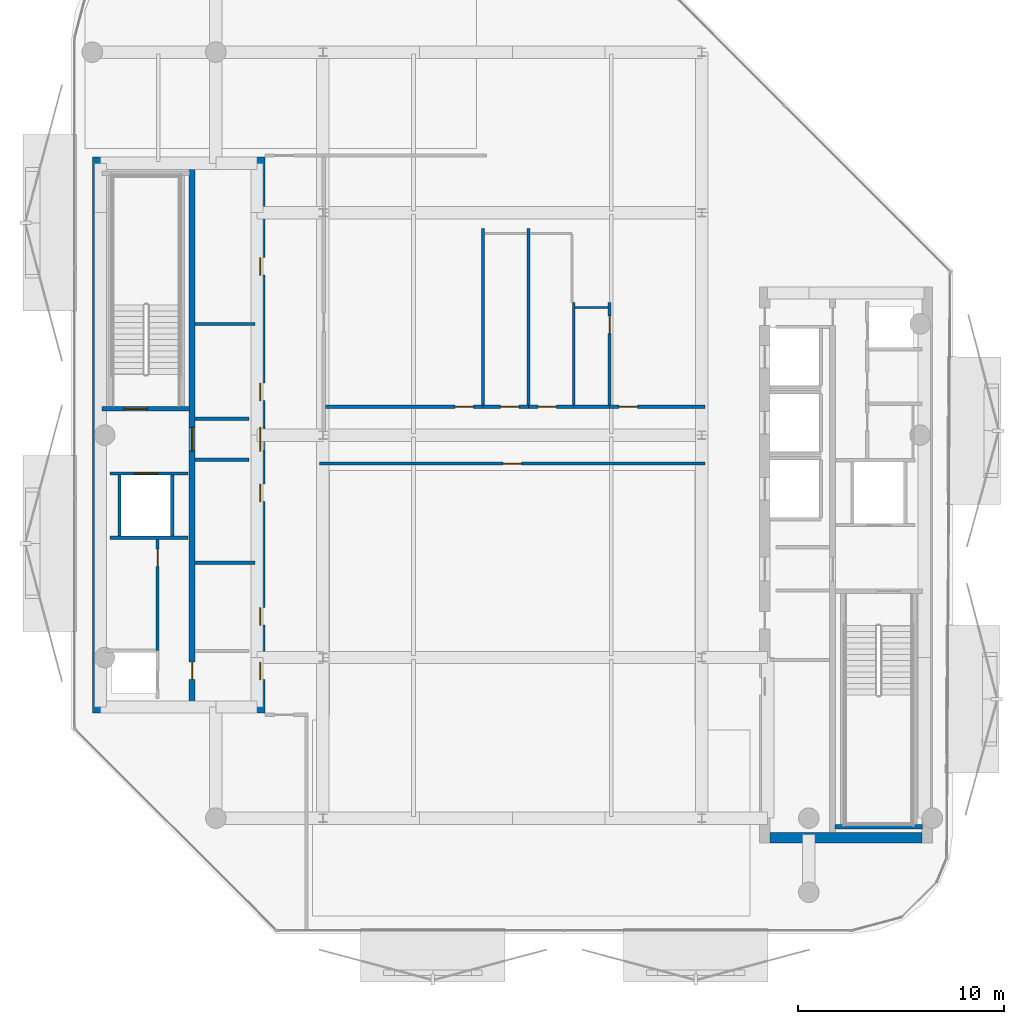
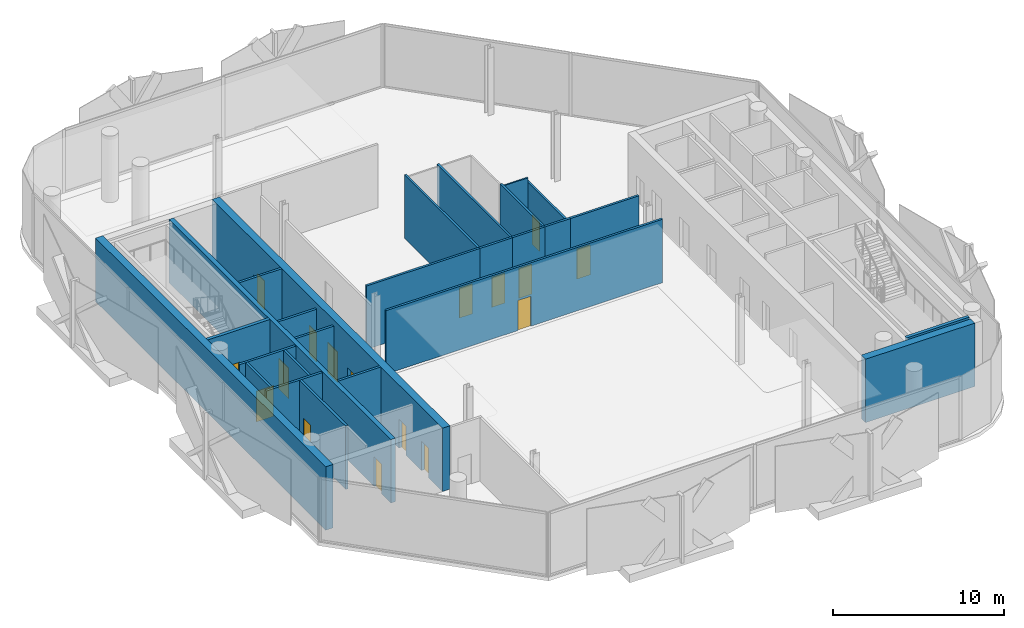
# One storey, part 4 of 15: 26 walls, 17 doors, 17 openings.
"""IFC4 building model written with IfcOpenShell, lengths in metres."""

from ifc_helpers import new_model, si_unit, direction, frame, frame_2d, origin, place, context, subcontext, project, spatial, rectangle, extrude, material, layer, layer_set, type_object, element, fill, save


model = new_model("IFC4")

# Units and contexts
model_context = context("Model", 3, precision=1e-05, world=origin(), true_north=direction((0.0, 1.0)))
body_context = subcontext(model_context, "Body", "Model", "MODEL_VIEW")
ifc_project = project(units=[si_unit("LENGTHUNIT", "METRE"), si_unit("AREAUNIT", "SQUARE_METRE"), si_unit("VOLUMEUNIT", "CUBIC_METRE"), si_unit("PLANEANGLEUNIT", "RADIAN"), si_unit("MASSUNIT", "GRAM", prefix="KILO")], contexts=[model_context])

# Site, building, storey
site_placement = place(None, origin())
site = spatial("IfcSite", under=ifc_project, at=site_placement, CompositionType="ELEMENT")
building_placement = place(site_placement, origin())
building = spatial("IfcBuilding", under=site, at=building_placement, Name="Khairoan Windgate Tower", CompositionType="ELEMENT")
storey_placement = place(building_placement, frame((0.0, 0.0, 315.60009765625)))
storey = spatial("IfcBuildingStorey", under=building, at=storey_placement, Name="L76", CompositionType="ELEMENT", Elevation=315.60009765625)

# Wall
ifc_material_1 = material(Name="Moisture-Resistant Gypsum Partition", Category="gypsum")
ifc_layer_1 = layer(ifc_material_1, 0.10009765625, Name="Moisture-Resistant Gypsum Partition")
ifc_layer_set_1 = layer_set([ifc_layer_1], Name="Moisture-Resistant Gypsum Partition")
wall_type_1 = type_object("IfcWallType", Name="Bathroom Wet-Area Partition Wall", PredefinedType="PARTITIONING", material=ifc_layer_set_1)
wall_1_placement = place(storey_placement, frame((3.050048828125, 6.199951171875, 0.0), z_axis=(0.0, 0.0, 1.0), x_axis=(1.0, 0.0, 0.0)))
element("IfcWall", 1, at=wall_1_placement, inside=storey, type_object=wall_type_1, Name="L76 Wet Room Side Wall 031", PredefinedType="PARTITIONING", context=body_context, shape_type="SweptSolid", body=[
    extrude(rectangle(XDim=1.599853515625, YDim=0.10009765625, at=frame_2d((0.7998046875, 0.0))), origin(), (0.0, 0.0, 1.0), 4.539794921875),
])

# Wall, opening, door
ifc_material_2 = material(Name="Concrete C40/50", Category="concrete")
ifc_layer_2 = layer(ifc_material_2, 0.159912109375, Name="Concrete C40/50")
ifc_layer_set_2 = layer_set([ifc_layer_2], Name="Concrete C40/50")
wall_type_2 = type_object("IfcWallType", Name="Core and Hoistway Enclosure Wall", PredefinedType="STANDARD", material=ifc_layer_set_2)
wall_2_placement = place(storey_placement, frame((-19.550048828125, -1.860107421875, 0.0), z_axis=(0.0, 0.0, 1.0), x_axis=(1.0, 0.0, 0.0)))
wall_2 = element("IfcWall", 2, at=wall_2_placement, inside=storey, type_object=wall_type_2, Name="L76 Core Shaft Wall SW-FL2-L76", PredefinedType="STANDARD", context=body_context, shape_type="SweptSolid", body=[
    extrude(rectangle(XDim=3.800048828125, YDim=0.159912109375, at=frame_2d((1.89990234375, 0.0))), origin(), (0.0, 0.0, 1.0), 4.539794921875),
])
opening_1_placement = place(wall_2_placement, frame((1.179931640625, 0.0, 0.0)))
opening_1 = element("IfcOpeningElement", 3, at=opening_1_placement, cuts=wall_2, Name="Opening LD-FL", PredefinedType="OPENING", context=body_context, shape_type="SweptSolid", body=[
    extrude(rectangle(XDim=1.14990234375, YDim=2.199951171875, at=frame_2d((0.574951171875, 1.10009765625))), frame((0.0, 0.08984375, 0.0), z_axis=(0.0, -1.0, 0.0), x_axis=(1.0, 0.0, 0.0)), (0.0, 0.0, 1.0), 0.179931640625),
])
ifc_material_3 = material(Name="Steel S355", Category="steel")
door_type_1 = type_object("IfcDoorType", Name="Firefighting Lift Sliding Landing Door LD-FL 1150x2200", OperationType="DOUBLE_DOOR_SLIDING", PredefinedType="DOOR", material=ifc_material_3)
door_1_placement = place(opening_1_placement, origin())
door_1 = element("IfcDoor", 4, at=door_1_placement, inside=storey, type_object=door_type_1, Name="L76 Firefighting Lift FL2 Landing Door", OperationType="DOUBLE_DOOR_SLIDING", OverallHeight=2.199951171875, OverallWidth=1.14990234375, PredefinedType="DOOR", context=body_context, shape_type="SweptSolid", body=[
    extrude(rectangle(XDim=1.14990234375, YDim=2.199951171875, at=frame_2d((0.574951171875, 1.10009765625))), frame((0.0, 0.02490234375, 0.0), z_axis=(0.0, -1.0, 0.0), x_axis=(1.0, 0.0, 0.0)), (0.0, 0.0, 1.0), 0.050048828125),
])
fill(opening_1, door_1)

# Walls
wall_3_placement = place(storey_placement, frame((-19.550048828125, -4.97998046875, 0.0), z_axis=(0.0, 0.0, 1.0), x_axis=(1.0, 0.0, 0.0)))
element("IfcWall", 5, at=wall_3_placement, inside=storey, type_object=wall_type_2, Name="L76 Core Shaft Wall SW-FL2B-L76", PredefinedType="STANDARD", context=body_context, shape_type="SweptSolid", body=[
    extrude(rectangle(XDim=3.800048828125, YDim=0.159912109375, at=frame_2d((1.89990234375, 0.0))), origin(), (0.0, 0.0, 1.0), 4.539794921875),
])
for number, where, z_axis, x_axis, name in (
    (6, (-19.080078125, -4.89990234375, 0.0), (0.0, 0.0, 1.0), (0.0, 1.0, 0.0), "L76 Core Shaft Wall SW-FL2W-L76"),
    (7, (-16.52001953125, -4.89990234375, 0.0), (0.0, 0.0, 1.0), (0.0, 1.0, 0.0), "L76 Core Shaft Wall SW-FL2E-L76"),
):
    element("IfcWall", number, at=place(storey_placement, frame(where, z_axis=z_axis, x_axis=x_axis)), inside=storey, type_object=wall_type_2, Name=name, PredefinedType="STANDARD", context=body_context, shape_type="SweptSolid", body=[
        extrude(rectangle(XDim=2.9599609375, YDim=0.159912109375, at=frame_2d((1.47998046875, 0.0))), origin(), (0.0, 0.0, 1.0), 4.539794921875),
    ])
for number, where, z_axis, x_axis, name in (
    (8, (-15.39990234375, 0.800048828125, 0.0), (0.0, 0.0, 1.0), (1.0, 0.0, 0.0), "L76 Core Shaft Wall SW-WV1-L76"),
    (9, (-15.39990234375, -1.199951171875, 0.0), (0.0, 0.0, 1.0), (1.0, 0.0, 0.0), "L76 Core Shaft Wall SW-WV2-L76"),
):
    element("IfcWall", number, at=place(storey_placement, frame(where, z_axis=z_axis, x_axis=x_axis)), inside=storey, type_object=wall_type_2, Name=name, PredefinedType="STANDARD", context=body_context, shape_type="SweptSolid", body=[
        extrude(rectangle(XDim=2.599853515625, YDim=0.159912109375, at=frame_2d((1.2998046875, 0.0))), origin(), (0.0, 0.0, 1.0), 4.539794921875),
    ])
ifc_material_4 = material(Name="Acoustic Fire-Rated Gypsum Partition", Category="gypsum")
ifc_layer_3 = layer(ifc_material_4, 0.139892578125, Name="Acoustic Fire-Rated Gypsum Partition")
ifc_layer_set_3 = layer_set([ifc_layer_3], Name="Acoustic Fire-Rated Gypsum Partition")
wall_type_3 = type_object("IfcWallType", Name="Inter-Tenancy Compartment Wall", PredefinedType="PARTITIONING", material=ifc_layer_set_3)
wall_4_placement = place(storey_placement, frame((-1.419921875, 1.455078125, 0.0), z_axis=(0.0, 0.0, 1.0), x_axis=(0.0, 1.0, 0.0)))
element("IfcWall", 10, at=wall_4_placement, inside=storey, type_object=wall_type_3, Name="L76 Interior Partition 023", PredefinedType="PARTITIONING", context=body_context, shape_type="SweptSolid", body=[
    extrude(rectangle(XDim=8.5849609375, YDim=0.139892578125, at=frame_2d((4.29248046875, 0.0))), origin(), (0.0, 0.0, 1.0), 4.539794921875),
])

# Wall, opening, door
wall_5_placement = place(storey_placement, frame((4.719970703125, 1.455078125, 0.0), z_axis=(0.0, 0.0, 1.0), x_axis=(0.0, 1.0, 0.0)))
wall_5 = element("IfcWall", 11, at=wall_5_placement, inside=storey, type_object=wall_type_3, Name="L76 Interior Partition 024", PredefinedType="PARTITIONING", context=body_context, shape_type="SweptSolid", body=[
    extrude(rectangle(XDim=4.98486328125, YDim=0.139892578125, at=frame_2d((2.492431640625, 0.0))), origin(), (0.0, 0.0, 1.0), 4.18994140625),
])
opening_2_placement = place(wall_5_placement, frame((3.47412109375, 0.0, 0.0)))
opening_2 = element("IfcOpeningElement", 12, at=opening_2_placement, cuts=wall_5, Name="Opening FD-SRV", PredefinedType="OPENING", context=body_context, shape_type="SweptSolid", body=[
    extrude(rectangle(XDim=0.85009765625, YDim=2.10009765625, at=frame_2d((0.425048828125, 1.050048828125))), frame((0.0, 0.079833984375, 0.0), z_axis=(0.0, -1.0, 0.0), x_axis=(1.0, 0.0, 0.0)), (0.0, 0.0, 1.0), 0.159912109375),
])
ifc_material_5 = material(Name="Steel S355", Category="steel")
door_type_2 = type_object("IfcDoorType", Name="Core Service and Riser Fire Door FD-SRV 850x2100", OperationType="NOTDEFINED", PredefinedType="DOOR", material=ifc_material_5)
door_2_placement = place(opening_2_placement, origin())
door_2 = element("IfcDoor", 13, at=door_2_placement, inside=storey, type_object=door_type_2, Name="L76 L76-33-L76-37 Door", OperationType="SINGLE_SWING_LEFT", OverallHeight=2.10009765625, OverallWidth=0.85009765625, PredefinedType="DOOR", context=body_context, shape_type="SweptSolid", body=[
    extrude(rectangle(XDim=0.85009765625, YDim=2.10009765625, at=frame_2d((0.425048828125, 1.050048828125))), frame((0.0, 0.02490234375, 0.0), z_axis=(0.0, -1.0, 0.0), x_axis=(1.0, 0.0, 0.0)), (0.0, 0.0, 1.0), 0.050048828125),
])
fill(opening_2, door_2)

# Walls
wall_6_placement = place(storey_placement, frame((0.780029296875, 1.455078125, 0.0), z_axis=(0.0, 0.0, 1.0), x_axis=(0.0, 1.0, 0.0)))
element("IfcWall", 14, at=wall_6_placement, inside=storey, type_object=wall_type_3, Name="L76 Interior Partition 025", PredefinedType="PARTITIONING", context=body_context, shape_type="SweptSolid", body=[
    extrude(rectangle(XDim=8.5849609375, YDim=0.139892578125, at=frame_2d((4.29248046875, 0.0))), origin(), (0.0, 0.0, 1.0), 4.539794921875),
])
wall_7_placement = place(storey_placement, frame((2.97998046875, 1.455078125, 0.0), z_axis=(0.0, 0.0, 1.0), x_axis=(0.0, 1.0, 0.0)))
element("IfcWall", 15, at=wall_7_placement, inside=storey, type_object=wall_type_3, Name="L76 Interior Partition 026", PredefinedType="PARTITIONING", context=body_context, shape_type="SweptSolid", body=[
    extrude(rectangle(XDim=4.98486328125, YDim=0.139892578125, at=frame_2d((2.492431640625, 0.0))), origin(), (0.0, 0.0, 1.0), 4.539794921875),
])

# Wall, opening, door
ifc_material_6 = material(Name="Concrete C40/50", Category="concrete")
ifc_layer_4 = layer(ifc_material_6, 0.159912109375, Name="Concrete C40/50")
ifc_layer_set_4 = layer_set([ifc_layer_4], Name="Concrete C40/50")
wall_type_4 = type_object("IfcWallType", Name="Plant and Refuge Compartment Wall", PredefinedType="PARTITIONING", material=ifc_layer_set_4)
wall_8_placement = place(storey_placement, frame((-17.22998046875, -10.469970703125, 0.0), z_axis=(0.0, 0.0, 1.0), x_axis=(0.0, 1.0, 0.0)))
wall_8 = element("IfcWall", 16, at=wall_8_placement, inside=storey, type_object=wall_type_4, Name="L76 Interior Partition 002", PredefinedType="PARTITIONING", context=body_context, shape_type="SweptSolid", body=[
    extrude(rectangle(XDim=5.409912109375, YDim=0.159912109375, at=frame_2d((2.705078125, 0.0))), origin(), (0.0, 0.0, 1.0), 4.539794921875),
])
opening_3_placement = place(wall_8_placement, frame((4.10009765625, 0.0, 0.0)))
opening_3 = element("IfcOpeningElement", 17, at=opening_3_placement, cuts=wall_8, Name="Opening FD-SRV", PredefinedType="OPENING", context=body_context, shape_type="SweptSolid", body=[
    extrude(rectangle(XDim=0.85009765625, YDim=2.10009765625, at=frame_2d((0.425048828125, 1.050048828125))), frame((0.0, 0.08984375, 0.0), z_axis=(0.0, -1.0, 0.0), x_axis=(1.0, 0.0, 0.0)), (0.0, 0.0, 1.0), 0.179931640625),
])
door_3_placement = place(opening_3_placement, origin())
door_3 = element("IfcDoor", 18, at=door_3_placement, inside=storey, type_object=door_type_2, Name="L76 L76-04-L76-06 Door", OperationType="SINGLE_SWING_RIGHT", OverallHeight=2.10009765625, OverallWidth=0.85009765625, PredefinedType="DOOR", context=body_context, shape_type="SweptSolid", body=[
    extrude(rectangle(XDim=0.85009765625, YDim=2.10009765625, at=frame_2d((0.425048828125, 1.050048828125))), frame((0.0, 0.02490234375, 0.0), z_axis=(0.0, -1.0, 0.0), x_axis=(1.0, 0.0, 0.0)), (0.0, 0.0, 1.0), 0.050048828125),
])
fill(opening_3, door_3)

# Walls
for number, where, z_axis, x_axis, name in (
    (19, (-15.39990234375, 5.39990234375, 0.0), (0.0, 0.0, 1.0), (1.0, 0.0, 0.0), "L76 Interior Partition 004"),
    (20, (-15.39990234375, -6.199951171875, 0.0), (0.0, 0.0, 1.0), (1.0, 0.0, 0.0), "L76 Interior Partition 005"),
):
    element("IfcWall", number, at=place(storey_placement, frame(where, z_axis=z_axis, x_axis=x_axis)), inside=storey, type_object=wall_type_4, Name=name, PredefinedType="PARTITIONING", context=body_context, shape_type="SweptSolid", body=[
        extrude(rectangle(XDim=2.89990234375, YDim=0.159912109375, at=frame_2d((1.449951171875, 0.0))), origin(), (0.0, 0.0, 1.0), 4.539794921875),
    ])

# Wall, opening, door
ifc_material_7 = material(Name="Acoustic Fire-Rated Gypsum Partition", Category="gypsum")
ifc_layer_5 = layer(ifc_material_7, 0.14990234375, Name="Acoustic Fire-Rated Gypsum Partition")
ifc_layer_set_5 = layer_set([ifc_layer_5], Name="Acoustic Fire-Rated Gypsum Partition")
wall_type_5 = type_object("IfcWallType", Name="Rated Corridor Partition Wall", PredefinedType="PARTITIONING", material=ifc_layer_set_5)
wall_9_placement = place(storey_placement, frame((-9.360107421875, -1.3798828125, 0.0), z_axis=(0.0, 0.0, 1.0), x_axis=(1.0, 0.0, 0.0)))
wall_9 = element("IfcWall", 21, at=wall_9_placement, inside=storey, type_object=wall_type_5, Name="L76 Interior Partition 015", PredefinedType="PARTITIONING", context=body_context, shape_type="SweptSolid", body=[
    extrude(rectangle(XDim=18.72021484375, YDim=0.14990234375, at=frame_2d((9.360107421875, 0.0))), origin(), (0.0, 0.0, 1.0), 4.539794921875),
])
opening_4_placement = place(wall_9_placement, frame((8.909912109375, 0.0, 0.0)))
opening_4 = element("IfcOpeningElement", 22, at=opening_4_placement, cuts=wall_9, Name="Opening FD-ENT", PredefinedType="OPENING", context=body_context, shape_type="SweptSolid", body=[
    extrude(rectangle(XDim=0.89990234375, YDim=2.14990234375, at=frame_2d((0.449951171875, 1.074951171875))), frame((0.0, 0.0849609375, 0.0), z_axis=(0.0, -1.0, 0.0), x_axis=(1.0, 0.0, 0.0)), (0.0, 0.0, 1.0), 0.169921875),
])
ifc_material_8 = material(Name="Timber Fire-Rated Core", Category="wood")
door_type_3 = type_object("IfcDoorType", Name="Unit and Office Fire Entrance Door FD-ENT 900x2150", OperationType="NOTDEFINED", PredefinedType="DOOR", material=ifc_material_8)
door_4_placement = place(opening_4_placement, origin())
door_4 = element("IfcDoor", 23, at=door_4_placement, inside=storey, type_object=door_type_3, Name="L76 L76-29-L76-30 Door", OperationType="SINGLE_SWING_LEFT", OverallHeight=2.14990234375, OverallWidth=0.89990234375, PredefinedType="DOOR", context=body_context, shape_type="SweptSolid", body=[
    extrude(rectangle(XDim=0.89990234375, YDim=2.14990234375, at=frame_2d((0.449951171875, 1.074951171875))), frame((0.0, 0.02490234375, 0.0), z_axis=(0.0, -1.0, 0.0), x_axis=(1.0, 0.0, 0.0)), (0.0, 0.0, 1.0), 0.050048828125),
])
fill(opening_4, door_4)

wall_10_placement = place(storey_placement, frame((-9.0849609375, 1.3798828125, 0.0), z_axis=(0.0, 0.0, 1.0), x_axis=(1.0, 0.0, 0.0)))
wall_10 = element("IfcWall", 24, at=wall_10_placement, inside=storey, type_object=wall_type_5, Name="L76 Interior Partition 016", PredefinedType="PARTITIONING", context=body_context, shape_type="SweptSolid", body=[
    extrude(rectangle(XDim=7.6650390625, YDim=0.14990234375, at=frame_2d((3.83251953125, 0.0))), origin(), (0.0, 0.0, 1.0), 4.539794921875),
])
opening_5_placement = place(wall_10_placement, frame((6.304931640625, 0.0, 0.0)))
opening_5 = element("IfcOpeningElement", 25, at=opening_5_placement, cuts=wall_10, Name="Opening FD-ENT", PredefinedType="OPENING", context=body_context, shape_type="SweptSolid", body=[
    extrude(rectangle(XDim=0.89990234375, YDim=2.14990234375, at=frame_2d((0.449951171875, 1.074951171875))), frame((0.0, 0.0849609375, 0.0), z_axis=(0.0, -1.0, 0.0), x_axis=(1.0, 0.0, 0.0)), (0.0, 0.0, 1.0), 0.169921875),
])
door_5_placement = place(opening_5_placement, origin())
door_5 = element("IfcDoor", 26, at=door_5_placement, inside=storey, type_object=door_type_3, Name="L76 L76-29-L76-32 Door", OperationType="SINGLE_SWING_RIGHT", OverallHeight=2.14990234375, OverallWidth=0.89990234375, PredefinedType="DOOR", context=body_context, shape_type="SweptSolid", body=[
    extrude(rectangle(XDim=0.89990234375, YDim=2.14990234375, at=frame_2d((0.449951171875, 1.074951171875))), frame((0.0, 0.02490234375, 0.0), z_axis=(0.0, -1.0, 0.0), x_axis=(1.0, 0.0, 0.0)), (0.0, 0.0, 1.0), 0.050048828125),
])
fill(opening_5, door_5)

wall_11_placement = place(storey_placement, frame((4.719970703125, 1.3798828125, 0.0), z_axis=(0.0, 0.0, 1.0), x_axis=(1.0, 0.0, 0.0)))
wall_11 = element("IfcWall", 27, at=wall_11_placement, inside=storey, type_object=wall_type_5, Name="L76 Interior Partition 017", PredefinedType="PARTITIONING", context=body_context, shape_type="SweptSolid", body=[
    extrude(rectangle(XDim=4.64013671875, YDim=0.14990234375, at=frame_2d((2.320068359375, 0.0))), origin(), (0.0, 0.0, 1.0), 4.539794921875),
])
opening_6_placement = place(wall_11_placement, frame((0.4599609375, 0.0, 0.0)))
opening_6 = element("IfcOpeningElement", 28, at=opening_6_placement, cuts=wall_11, Name="Opening FD-ENT", PredefinedType="OPENING", context=body_context, shape_type="SweptSolid", body=[
    extrude(rectangle(XDim=0.89990234375, YDim=2.14990234375, at=frame_2d((0.449951171875, 1.074951171875))), frame((0.0, 0.0849609375, 0.0), z_axis=(0.0, -1.0, 0.0), x_axis=(1.0, 0.0, 0.0)), (0.0, 0.0, 1.0), 0.169921875),
])
door_6_placement = place(opening_6_placement, origin())
door_6 = element("IfcDoor", 29, at=door_6_placement, inside=storey, type_object=door_type_3, Name="L76 L76-29-L76-33 Door", OperationType="SINGLE_SWING_LEFT", OverallHeight=2.14990234375, OverallWidth=0.89990234375, PredefinedType="DOOR", context=body_context, shape_type="SweptSolid", body=[
    extrude(rectangle(XDim=0.89990234375, YDim=2.14990234375, at=frame_2d((0.449951171875, 1.074951171875))), frame((0.0, 0.02490234375, 0.0), z_axis=(0.0, -1.0, 0.0), x_axis=(1.0, 0.0, 0.0)), (0.0, 0.0, 1.0), 0.050048828125),
])
fill(opening_6, door_6)

wall_12_placement = place(storey_placement, frame((-1.419921875, 1.3798828125, 0.0), z_axis=(0.0, 0.0, 1.0), x_axis=(1.0, 0.0, 0.0)))
wall_12 = element("IfcWall", 30, at=wall_12_placement, inside=storey, type_object=wall_type_5, Name="L76 Interior Partition 018", PredefinedType="PARTITIONING", context=body_context, shape_type="SweptSolid", body=[
    extrude(rectangle(XDim=2.199951171875, YDim=0.14990234375, at=frame_2d((1.10009765625, 0.0))), origin(), (0.0, 0.0, 1.0), 4.539794921875),
])
opening_7_placement = place(wall_12_placement, frame((0.840087890625, 0.0, 0.0)))
opening_7 = element("IfcOpeningElement", 31, at=opening_7_placement, cuts=wall_12, Name="Opening FD-ENT", PredefinedType="OPENING", context=body_context, shape_type="SweptSolid", body=[
    extrude(rectangle(XDim=0.89990234375, YDim=2.14990234375, at=frame_2d((0.449951171875, 1.074951171875))), frame((0.0, 0.0849609375, 0.0), z_axis=(0.0, -1.0, 0.0), x_axis=(1.0, 0.0, 0.0)), (0.0, 0.0, 1.0), 0.169921875),
])
door_7_placement = place(opening_7_placement, origin())
door_7 = element("IfcDoor", 32, at=door_7_placement, inside=storey, type_object=door_type_3, Name="L76 L76-29-L76-35 Door", OperationType="SINGLE_SWING_RIGHT", OverallHeight=2.14990234375, OverallWidth=0.89990234375, PredefinedType="DOOR", context=body_context, shape_type="SweptSolid", body=[
    extrude(rectangle(XDim=0.89990234375, YDim=2.14990234375, at=frame_2d((0.449951171875, 1.074951171875))), frame((0.0, 0.02490234375, 0.0), z_axis=(0.0, -1.0, 0.0), x_axis=(1.0, 0.0, 0.0)), (0.0, 0.0, 1.0), 0.050048828125),
])
fill(opening_7, door_7)

wall_13_placement = place(storey_placement, frame((0.780029296875, 1.3798828125, 0.0), z_axis=(0.0, 0.0, 1.0), x_axis=(1.0, 0.0, 0.0)))
wall_13 = element("IfcWall", 33, at=wall_13_placement, inside=storey, type_object=wall_type_5, Name="L76 Interior Partition 019", PredefinedType="PARTITIONING", context=body_context, shape_type="SweptSolid", body=[
    extrude(rectangle(XDim=2.199951171875, YDim=0.14990234375, at=frame_2d((1.10009765625, 0.0))), origin(), (0.0, 0.0, 1.0), 4.539794921875),
])
opening_8_placement = place(wall_13_placement, frame((0.4599609375, 0.0, 0.0)))
opening_8 = element("IfcOpeningElement", 34, at=opening_8_placement, cuts=wall_13, Name="Opening FD-ENT", PredefinedType="OPENING", context=body_context, shape_type="SweptSolid", body=[
    extrude(rectangle(XDim=0.89990234375, YDim=2.14990234375, at=frame_2d((0.449951171875, 1.074951171875))), frame((0.0, 0.0849609375, 0.0), z_axis=(0.0, -1.0, 0.0), x_axis=(1.0, 0.0, 0.0)), (0.0, 0.0, 1.0), 0.169921875),
])
door_8_placement = place(opening_8_placement, origin())
door_8 = element("IfcDoor", 35, at=door_8_placement, inside=storey, type_object=door_type_3, Name="L76 L76-29-L76-36 Door", OperationType="SINGLE_SWING_LEFT", OverallHeight=2.14990234375, OverallWidth=0.89990234375, PredefinedType="DOOR", context=body_context, shape_type="SweptSolid", body=[
    extrude(rectangle(XDim=0.89990234375, YDim=2.14990234375, at=frame_2d((0.449951171875, 1.074951171875))), frame((0.0, 0.02490234375, 0.0), z_axis=(0.0, -1.0, 0.0), x_axis=(1.0, 0.0, 0.0)), (0.0, 0.0, 1.0), 0.050048828125),
])
fill(opening_8, door_8)

# Walls
wall_14_placement = place(storey_placement, frame((2.97998046875, 1.3798828125, 0.0), z_axis=(0.0, 0.0, 1.0), x_axis=(1.0, 0.0, 0.0)))
element("IfcWall", 36, at=wall_14_placement, inside=storey, type_object=wall_type_5, Name="L76 Interior Partition 020", PredefinedType="PARTITIONING", context=body_context, shape_type="SweptSolid", body=[
    extrude(rectangle(XDim=1.739990234375, YDim=0.14990234375, at=frame_2d((0.8701171875, 0.0))), origin(), (0.0, 0.0, 1.0), 4.539794921875),
])
ifc_material_9 = material(Name="Concrete C50/60", Category="concrete")
ifc_layer_6 = layer(ifc_material_9, 0.5, Name="Concrete C50/60")
ifc_layer_set_6 = layer_set([ifc_layer_6], Name="Concrete C50/60")
wall_type_6 = type_object("IfcWallType", Name="Shear Wall CW-E3 500mm", PredefinedType="SHEAR", material=ifc_layer_set_6)
wall_15_placement = place(storey_placement, frame((12.5, -19.550048828125, 0.0), z_axis=(0.0, 0.0, 1.0), x_axis=(1.0, 0.0, 0.0)))
element("IfcWall", 37, at=wall_15_placement, inside=storey, type_object=wall_type_6, Name="E Core South Shear Wall L76", PredefinedType="SHEAR", context=body_context, shape_type="SweptSolid", body=[
    extrude(rectangle(XDim=7.39990234375, YDim=0.5, at=frame_2d((3.699951171875, 0.0))), origin(), (0.0, 0.0, 1.0), 4.539794921875),
])
ifc_material_10 = material(Name="Concrete C50/60", Category="concrete")
ifc_layer_7 = layer(ifc_material_10, 0.5, Name="Concrete C50/60")
ifc_layer_set_7 = layer_set([ifc_layer_7], Name="Concrete C50/60")
wall_type_7 = type_object("IfcWallType", Name="Shear Wall CW-W3 500mm", PredefinedType="SHEAR", material=ifc_layer_set_7)
wall_16_placement = place(storey_placement, frame((-20.14990234375, -13.5, 0.0), z_axis=(0.0, 0.0, 1.0), x_axis=(0.0, 1.0, 0.0)))
element("IfcWall", 38, at=wall_16_placement, inside=storey, type_object=wall_type_7, Name="W Core West Shear Wall L76", PredefinedType="SHEAR", context=body_context, shape_type="SweptSolid", body=[
    extrude(rectangle(XDim=27.0, YDim=0.5, at=frame_2d((13.5, 0.0))), origin(), (0.0, 0.0, 1.0), 4.539794921875),
])

# Wall, openings, doors
wall_17_placement = place(storey_placement, frame((-12.25, -13.5, 0.0), z_axis=(0.0, 0.0, 1.0), x_axis=(0.0, 1.0, 0.0)))
wall_17 = element("IfcWall", 39, at=wall_17_placement, inside=storey, type_object=wall_type_7, Name="W Core East Shear Wall L76", PredefinedType="SHEAR", context=body_context, shape_type="SweptSolid", body=[
    extrude(rectangle(XDim=27.0, YDim=0.5, at=frame_2d((13.5, 0.0))), origin(), (0.0, 0.0, 1.0), 4.539794921875),
])
opening_9_placement = place(wall_17_placement, frame((15.175048828125, 0.0, 0.0)))
opening_9 = element("IfcOpeningElement", 40, at=opening_9_placement, cuts=wall_17, Name="Opening FD-SRV", PredefinedType="OPENING", context=body_context, shape_type="SweptSolid", body=[
    extrude(rectangle(XDim=0.85009765625, YDim=2.10009765625, at=frame_2d((0.425048828125, 1.050048828125))), frame((0.0, 0.260009765625, 0.0), z_axis=(0.0, -1.0, 0.0), x_axis=(1.0, 0.0, 0.0)), (0.0, 0.0, 1.0), 0.52001953125),
])
opening_10_placement = place(wall_17_placement, frame((21.27490234375, 0.0, 0.0)))
opening_10 = element("IfcOpeningElement", 41, at=opening_10_placement, cuts=wall_17, Name="Opening FD-SRV", PredefinedType="OPENING", context=body_context, shape_type="SweptSolid", body=[
    extrude(rectangle(XDim=0.85009765625, YDim=2.10009765625, at=frame_2d((0.425048828125, 1.050048828125))), frame((0.0, 0.260009765625, 0.0), z_axis=(0.0, -1.0, 0.0), x_axis=(1.0, 0.0, 0.0)), (0.0, 0.0, 1.0), 0.52001953125),
])
opening_11_placement = place(wall_17_placement, frame((4.27490234375, 0.0, 0.0)))
opening_11 = element("IfcOpeningElement", 42, at=opening_11_placement, cuts=wall_17, Name="Opening FD-SRV", PredefinedType="OPENING", context=body_context, shape_type="SweptSolid", body=[
    extrude(rectangle(XDim=0.85009765625, YDim=2.10009765625, at=frame_2d((0.425048828125, 1.050048828125))), frame((0.0, 0.260009765625, 0.0), z_axis=(0.0, -1.0, 0.0), x_axis=(1.0, 0.0, 0.0)), (0.0, 0.0, 1.0), 0.52001953125),
])
opening_12_placement = place(wall_17_placement, frame((10.27490234375, 0.0, 0.0)))
opening_12 = element("IfcOpeningElement", 43, at=opening_12_placement, cuts=wall_17, Name="Opening FD-SRV", PredefinedType="OPENING", context=body_context, shape_type="SweptSolid", body=[
    extrude(rectangle(XDim=0.85009765625, YDim=2.10009765625, at=frame_2d((0.425048828125, 1.050048828125))), frame((0.0, 0.260009765625, 0.0), z_axis=(0.0, -1.0, 0.0), x_axis=(1.0, 0.0, 0.0)), (0.0, 0.0, 1.0), 0.52001953125),
])
opening_13_placement = place(wall_17_placement, frame((12.72509765625, 0.0, 0.0)))
opening_13 = element("IfcOpeningElement", 44, at=opening_13_placement, cuts=wall_17, Name="Opening FD-FFL", PredefinedType="OPENING", context=body_context, shape_type="SweptSolid", body=[
    extrude(rectangle(XDim=1.14990234375, YDim=2.199951171875, at=frame_2d((0.574951171875, 1.10009765625))), frame((0.0, 0.260009765625, 0.0), z_axis=(0.0, -1.0, 0.0), x_axis=(1.0, 0.0, 0.0)), (0.0, 0.0, 1.0), 0.52001953125),
])
opening_14_placement = place(wall_17_placement, frame((1.625, 0.0, 0.0)))
opening_14 = element("IfcOpeningElement", 45, at=opening_14_placement, cuts=wall_17, Name="Opening FD-SRV", PredefinedType="OPENING", context=body_context, shape_type="SweptSolid", body=[
    extrude(rectangle(XDim=0.85009765625, YDim=2.10009765625, at=frame_2d((0.425048828125, 1.050048828125))), frame((0.0, 0.260009765625, 0.0), z_axis=(0.0, -1.0, 0.0), x_axis=(1.0, 0.0, 0.0)), (0.0, 0.0, 1.0), 0.52001953125),
])
door_9_placement = place(opening_9_placement, origin())
door_9 = element("IfcDoor", 46, at=door_9_placement, inside=storey, type_object=door_type_2, Name="L76 Upper Core Room Door B1-1", OperationType="SINGLE_SWING_LEFT", OverallHeight=2.10009765625, OverallWidth=0.85009765625, PredefinedType="DOOR", context=body_context, shape_type="SweptSolid", body=[
    extrude(rectangle(XDim=0.85009765625, YDim=2.10009765625, at=frame_2d((0.425048828125, 1.050048828125))), frame((0.0, 0.02490234375, 0.0), z_axis=(0.0, -1.0, 0.0), x_axis=(1.0, 0.0, 0.0)), (0.0, 0.0, 1.0), 0.050048828125),
])
fill(opening_9, door_9)
door_10_placement = place(opening_10_placement, origin())
door_10 = element("IfcDoor", 47, at=door_10_placement, inside=storey, type_object=door_type_2, Name="L76 Upper Core Room Door B1-2", OperationType="SINGLE_SWING_RIGHT", OverallHeight=2.10009765625, OverallWidth=0.85009765625, PredefinedType="DOOR", context=body_context, shape_type="SweptSolid", body=[
    extrude(rectangle(XDim=0.85009765625, YDim=2.10009765625, at=frame_2d((0.425048828125, 1.050048828125))), frame((0.0, 0.02490234375, 0.0), z_axis=(0.0, -1.0, 0.0), x_axis=(1.0, 0.0, 0.0)), (0.0, 0.0, 1.0), 0.050048828125),
])
fill(opening_10, door_10)
door_11_placement = place(opening_11_placement, origin())
door_11 = element("IfcDoor", 48, at=door_11_placement, inside=storey, type_object=door_type_2, Name="L76 Upper Core Room Door B2-1", OperationType="SINGLE_SWING_LEFT", OverallHeight=2.10009765625, OverallWidth=0.85009765625, PredefinedType="DOOR", context=body_context, shape_type="SweptSolid", body=[
    extrude(rectangle(XDim=0.85009765625, YDim=2.10009765625, at=frame_2d((0.425048828125, 1.050048828125))), frame((0.0, 0.02490234375, 0.0), z_axis=(0.0, -1.0, 0.0), x_axis=(1.0, 0.0, 0.0)), (0.0, 0.0, 1.0), 0.050048828125),
])
fill(opening_11, door_11)
door_12_placement = place(opening_12_placement, origin())
door_12 = element("IfcDoor", 49, at=door_12_placement, inside=storey, type_object=door_type_2, Name="L76 Upper Core Room Door B2-2", OperationType="SINGLE_SWING_RIGHT", OverallHeight=2.10009765625, OverallWidth=0.85009765625, PredefinedType="DOOR", context=body_context, shape_type="SweptSolid", body=[
    extrude(rectangle(XDim=0.85009765625, YDim=2.10009765625, at=frame_2d((0.425048828125, 1.050048828125))), frame((0.0, 0.02490234375, 0.0), z_axis=(0.0, -1.0, 0.0), x_axis=(1.0, 0.0, 0.0)), (0.0, 0.0, 1.0), 0.050048828125),
])
fill(opening_12, door_12)
door_13_placement = place(opening_14_placement, origin())
door_13 = element("IfcDoor", 50, at=door_13_placement, inside=storey, type_object=door_type_2, Name="L76 West Core Service Vestibule Outer Door", OperationType="SINGLE_SWING_LEFT", OverallHeight=2.10009765625, OverallWidth=0.85009765625, PredefinedType="DOOR", context=body_context, shape_type="SweptSolid", body=[
    extrude(rectangle(XDim=0.85009765625, YDim=2.10009765625, at=frame_2d((0.425048828125, 1.050048828125))), frame((0.0, 0.02490234375, 0.0), z_axis=(0.0, -1.0, 0.0), x_axis=(1.0, 0.0, 0.0)), (0.0, 0.0, 1.0), 0.050048828125),
])
fill(opening_14, door_13)
ifc_material_11 = material(Name="Steel S355", Category="steel")
door_type_4 = type_object("IfcDoorType", Name="Firefighting Lobby Fire Door FD-FFL 1150x2200", OperationType="NOTDEFINED", PredefinedType="DOOR", material=ifc_material_11)
door_14_placement = place(opening_13_placement, origin())
door_14 = element("IfcDoor", 51, at=door_14_placement, inside=storey, type_object=door_type_4, Name="L76 West Core Vestibule Entry Door", OperationType="SINGLE_SWING_LEFT", OverallHeight=2.199951171875, OverallWidth=1.14990234375, PredefinedType="DOOR", context=body_context, shape_type="SweptSolid", body=[
    extrude(rectangle(XDim=1.14990234375, YDim=2.199951171875, at=frame_2d((0.574951171875, 1.10009765625))), frame((0.0, 0.02490234375, 0.0), z_axis=(0.0, -1.0, 0.0), x_axis=(1.0, 0.0, 0.0)), (0.0, 0.0, 1.0), 0.050048828125),
])
fill(opening_13, door_14)

ifc_material_12 = material(Name="Concrete C50/60", Category="concrete")
ifc_layer_8 = layer(ifc_material_12, 0.300048828125, Name="Concrete C50/60")
ifc_layer_set_8 = layer_set([ifc_layer_8], Name="Concrete C50/60")
wall_type_8 = type_object("IfcWallType", Name="Shear Wall SW-2 300mm", PredefinedType="SHEAR", material=ifc_layer_set_8)
wall_18_placement = place(storey_placement, frame((-15.550048828125, -13.0, 0.0), z_axis=(0.0, 0.0, 1.0), x_axis=(0.0, 1.0, 0.0)))
wall_18 = element("IfcWall", 52, at=wall_18_placement, inside=storey, type_object=wall_type_8, Name="W Core Spine Shear Wall L76", PredefinedType="SHEAR", context=body_context, shape_type="SweptSolid", body=[
    extrude(rectangle(XDim=26.0, YDim=0.300048828125, at=frame_2d((13.0, 0.0))), origin(), (0.0, 0.0, 1.0), 4.539794921875),
])
opening_15_placement = place(wall_18_placement, frame((12.22509765625, 0.0, 0.0)))
opening_15 = element("IfcOpeningElement", 53, at=opening_15_placement, cuts=wall_18, Name="Opening FD-FFL", PredefinedType="OPENING", context=body_context, shape_type="SweptSolid", body=[
    extrude(rectangle(XDim=1.14990234375, YDim=2.199951171875, at=frame_2d((0.574951171875, 1.10009765625))), frame((0.0, 0.159912109375, 0.0), z_axis=(0.0, -1.0, 0.0), x_axis=(1.0, 0.0, 0.0)), (0.0, 0.0, 1.0), 0.320068359375),
])
opening_16_placement = place(wall_18_placement, frame((1.125, 0.0, 0.0)))
opening_16 = element("IfcOpeningElement", 54, at=opening_16_placement, cuts=wall_18, Name="Opening FD-SRV", PredefinedType="OPENING", context=body_context, shape_type="SweptSolid", body=[
    extrude(rectangle(XDim=0.85009765625, YDim=2.10009765625, at=frame_2d((0.425048828125, 1.050048828125))), frame((0.0, 0.159912109375, 0.0), z_axis=(0.0, -1.0, 0.0), x_axis=(1.0, 0.0, 0.0)), (0.0, 0.0, 1.0), 0.320068359375),
])
door_15_placement = place(opening_16_placement, origin())
door_15 = element("IfcDoor", 55, at=door_15_placement, inside=storey, type_object=door_type_2, Name="L76 West Core Service Passage Inner Door", OperationType="SINGLE_SWING_RIGHT", OverallHeight=2.10009765625, OverallWidth=0.85009765625, PredefinedType="DOOR", context=body_context, shape_type="SweptSolid", body=[
    extrude(rectangle(XDim=0.85009765625, YDim=2.10009765625, at=frame_2d((0.425048828125, 1.050048828125))), frame((0.0, 0.02490234375, 0.0), z_axis=(0.0, -1.0, 0.0), x_axis=(1.0, 0.0, 0.0)), (0.0, 0.0, 1.0), 0.050048828125),
])
fill(opening_16, door_15)
door_16_placement = place(opening_15_placement, origin())
door_16 = element("IfcDoor", 56, at=door_16_placement, inside=storey, type_object=door_type_4, Name="L76 West Firefighting Lobby Fire Door", OperationType="SINGLE_SWING_RIGHT", OverallHeight=2.199951171875, OverallWidth=1.14990234375, PredefinedType="DOOR", context=body_context, shape_type="SweptSolid", body=[
    extrude(rectangle(XDim=1.14990234375, YDim=2.199951171875, at=frame_2d((0.574951171875, 1.10009765625))), frame((0.0, 0.02490234375, 0.0), z_axis=(0.0, -1.0, 0.0), x_axis=(1.0, 0.0, 0.0)), (0.0, 0.0, 1.0), 0.050048828125),
])
fill(opening_15, door_16)

# Wall
ifc_material_13 = material(Name="Concrete C50/60", Category="concrete")
ifc_layer_9 = layer(ifc_material_13, 0.219970703125, Name="Concrete C50/60")
ifc_layer_set_9 = layer_set([ifc_layer_9], Name="Concrete C50/60")
wall_type_9 = type_object("IfcWallType", Name="Shear Wall SW-ST 220mm", PredefinedType="SHEAR", material=ifc_layer_set_9)
wall_19_placement = place(storey_placement, frame((15.679931640625, -19.010009765625, 0.0), z_axis=(0.0, 0.0, 1.0), x_axis=(1.0, 0.0, 0.0)))
element("IfcWall", 57, at=wall_19_placement, inside=storey, type_object=wall_type_9, Name="L76 Stair ST1 South Bearing Wall", PredefinedType="SHEAR", context=body_context, shape_type="SweptSolid", body=[
    extrude(rectangle(XDim=4.239990234375, YDim=0.219970703125, at=frame_2d((2.1201171875, 0.0))), origin(), (0.0, 0.0, 1.0), 4.539794921875),
])

# Wall, opening, door
wall_20_placement = place(storey_placement, frame((-19.919921875, 1.2900390625, 0.0), z_axis=(0.0, 0.0, 1.0), x_axis=(1.0, 0.0, 0.0)))
wall_20 = element("IfcWall", 58, at=wall_20_placement, inside=storey, type_object=wall_type_9, Name="L76 Stair ST2 South Bearing Wall", PredefinedType="SHEAR", context=body_context, shape_type="SweptSolid", body=[
    extrude(rectangle(XDim=4.239990234375, YDim=0.219970703125, at=frame_2d((2.1201171875, 0.0))), origin(), (0.0, 0.0, 1.0), 4.539794921875),
])
opening_17_placement = place(wall_20_placement, frame((1.080078125, 0.0, 0.0)))
opening_17 = element("IfcOpeningElement", 59, at=opening_17_placement, cuts=wall_20, Name="Opening FD-ST", PredefinedType="OPENING", context=body_context, shape_type="SweptSolid", body=[
    extrude(rectangle(XDim=1.10009765625, YDim=2.199951171875, at=frame_2d((0.550048828125, 1.10009765625))), frame((0.0, 0.119873046875, 0.0), z_axis=(0.0, -1.0, 0.0), x_axis=(1.0, 0.0, 0.0)), (0.0, 0.0, 1.0), 0.239990234375),
])
ifc_material_14 = material(Name="Steel S355", Category="steel")
door_type_5 = type_object("IfcDoorType", Name="Smokeproof Stair Fire Door FD-ST 1100x2200", OperationType="NOTDEFINED", PredefinedType="DOOR", material=ifc_material_14)
door_17_placement = place(opening_17_placement, origin())
door_17 = element("IfcDoor", 60, at=door_17_placement, inside=storey, type_object=door_type_5, Name="L76 Stair ST2 Fire Door", OperationType="SINGLE_SWING_RIGHT", OverallHeight=2.199951171875, OverallWidth=1.10009765625, PredefinedType="DOOR", context=body_context, shape_type="SweptSolid", body=[
    extrude(rectangle(XDim=1.10009765625, YDim=2.199951171875, at=frame_2d((0.550048828125, 1.10009765625))), frame((0.0, 0.02490234375, 0.0), z_axis=(0.0, -1.0, 0.0), x_axis=(1.0, 0.0, 0.0)), (0.0, 0.0, 1.0), 0.050048828125),
])
fill(opening_17, door_17)

save(model, "model.ifc")
